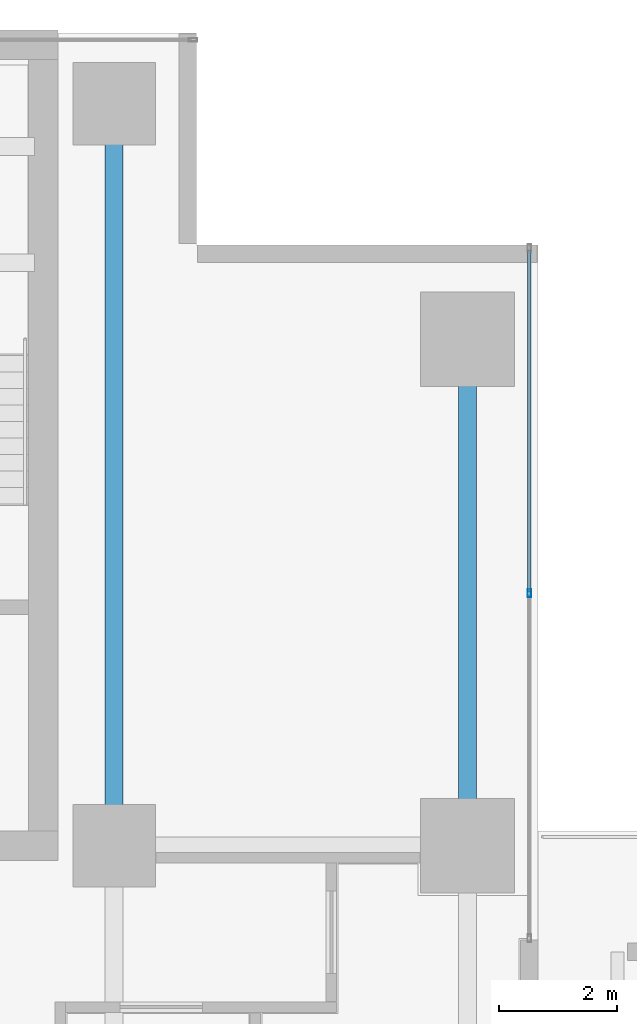
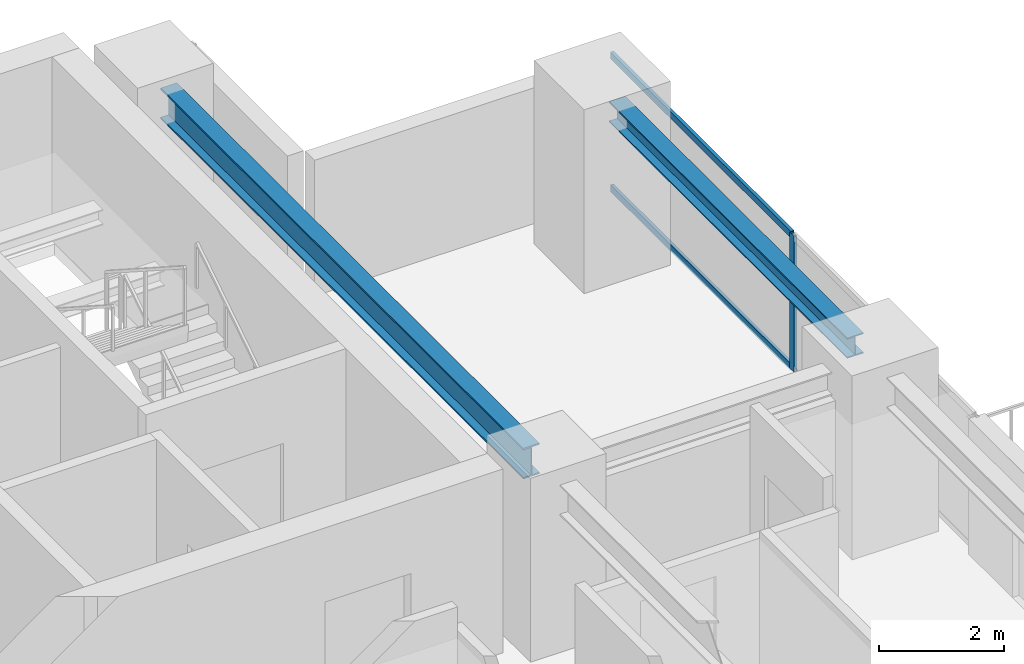
# One storey, part 20 of 32: 3 members, 2 beams, 1 element without a shape of its own.
"""IFC4 building model written with IfcOpenShell, lengths in metres."""

import ifcopenshell
import ifcopenshell.guid

model = None  # the IFC model being written
_history = None  # IfcOwnerHistory: only IFC2X3 demands one
_inside = {}  # id of a spatial element -> (the spatial element, [elements in it])
_under = {}  # id of a project, library or spatial element -> (it, [spatial elements below it])
_declared = {}  # id of a project -> (the project, [libraries it declares])
_typed = {}  # id of a type object -> (the type object, [elements of that type])
_made_of = {}  # id of a material, layer set ... -> (it, [elements and type objects made of it])


def new_model(schema):
    """Start an empty IFC model of exactly this schema.

    Asked for "IFC4X3", IfcOpenShell would pick the latest addendum, in which some entities
    have other attributes; the version numbers below select the first issue.
    IFC2X3 requires an IfcOwnerHistory on every rooted entity: one is made here for all.
    """
    global model, _history
    if schema == "IFC4X3":
        model = ifcopenshell.file(schema_version=(4, 3, 0, 0))
    else:
        model = ifcopenshell.file(schema=schema)
    _inside.clear()
    _under.clear()
    _declared.clear()
    _typed.clear()
    _made_of.clear()
    _history = None
    if model.schema == "IFC2X3":
        org = make("IfcOrganization", Name="unknown")
        user = make(
            "IfcPersonAndOrganization",
            ThePerson=make("IfcPerson", FamilyName="unknown"),
            TheOrganization=org,
        )
        app = make(
            "IfcApplication",
            ApplicationDeveloper=org,
            Version="unknown",
            ApplicationFullName="unknown",
            ApplicationIdentifier="unknown",
        )
        _history = make(
            "IfcOwnerHistory",
            OwningUser=user,
            OwningApplication=app,
            ChangeAction="ADDED",
            CreationDate=0,
        )
    return model


def make(cls, **values):
    """One entity of the class cls with the attributes given. An attribute that is None is left unset."""
    return model.create_entity(
        cls, **{name: value for name, value in values.items() if value is not None}
    )


def rooted(cls, **values):
    """An entity with a GlobalId (a new one), such as an element, a storey or a relation."""
    return make(cls, GlobalId=ifcopenshell.guid.new(), OwnerHistory=_history, **values)


def si_unit(unit_type, name, prefix=None):
    """IfcSIUnit, for example si_unit("LENGTHUNIT", "METRE", prefix="MILLI")."""
    return make("IfcSIUnit", UnitType=unit_type, Prefix=prefix, Name=name)


def assignment(units):
    """IfcUnitAssignment: the units of a project."""
    return None if units is None else make("IfcUnitAssignment", Units=units)


def point(xyz):
    """IfcCartesianPoint."""
    return None if xyz is None else make("IfcCartesianPoint", Coordinates=xyz)


def direction(xyz):
    """IfcDirection."""
    return None if xyz is None else make("IfcDirection", DirectionRatios=xyz)


def frame(location, z_axis=None, x_axis=None):
    """IfcAxis2Placement3D, a coordinate frame: its origin and axes. An axis left out is left unset."""
    return make(
        "IfcAxis2Placement3D",
        Location=point(location),
        Axis=direction(z_axis),
        RefDirection=direction(x_axis),
    )


def frame_2d(location, x_axis=None):
    """IfcAxis2Placement2D, a coordinate frame in the plane: its origin and x axis."""
    return make(
        "IfcAxis2Placement2D", Location=point(location), RefDirection=direction(x_axis)
    )


def origin():
    """The frame at (0, 0, 0) with its axes left unset."""
    return frame((0.0, 0.0, 0.0))


def origin_2d():
    """The frame at (0, 0) in the plane with its x axis left unset."""
    return frame_2d((0.0, 0.0))


def place(relative_to, where):
    """IfcLocalPlacement: puts the frame where relative to a parent placement (None: the world)."""
    return make(
        "IfcLocalPlacement", PlacementRelTo=relative_to, RelativePlacement=where
    )


def context(
    kind, dimensions, precision=None, world=None, true_north=None, identifier=None
):
    """IfcGeometricRepresentationContext, for example the 3D "Model" context."""
    return make(
        "IfcGeometricRepresentationContext",
        ContextIdentifier=identifier,
        ContextType=kind,
        CoordinateSpaceDimension=dimensions,
        Precision=precision,
        WorldCoordinateSystem=world,
        TrueNorth=true_north,
    )


def subcontext(parent, identifier, kind, view, scale=None):
    """IfcGeometricRepresentationSubContext, for example "Body" below "Model"."""
    return make(
        "IfcGeometricRepresentationSubContext",
        ContextIdentifier=identifier,
        ContextType=kind,
        ParentContext=parent,
        TargetScale=scale,
        TargetView=view,
    )


def project(units=None, contexts=None):
    """IfcProject with its units and contexts."""
    return rooted(
        "IfcProject",
        Name="project",
        RepresentationContexts=contexts,
        UnitsInContext=assignment(units),
    )


def spatial(cls, under=None, at=None, **own):
    """A site, building, storey or space (cls), placed at a placement, below another one or the project."""
    s = rooted(cls, ObjectPlacement=at, **own)
    if under is not None:
        _under.setdefault(under.id(), (under, []))[1].append(s)
    return s


def profile(cls, at=None, kind="AREA", **sizes):
    """A parametric profile (cls). Its sizes go by their IFC names, for example OverallWidth=200.0."""
    return make(cls, ProfileType=kind, Position=at, **sizes)


def hollow_rectangle(**sizes):
    """IfcRectangleHollowProfileDef."""
    return profile("IfcRectangleHollowProfileDef", **sizes)


def i_section(**sizes):
    """IfcIShapeProfileDef."""
    return profile("IfcIShapeProfileDef", **sizes)


def extrude(swept, where, along, depth):
    """IfcExtrudedAreaSolid: the profile swept, set in the frame where, extruded along a direction by depth."""
    return make(
        "IfcExtrudedAreaSolid",
        SweptArea=swept,
        Position=where,
        ExtrudedDirection=direction(along),
        Depth=depth,
    )


def shape(context_of_items, identifier, shape_type, items):
    """IfcShapeRepresentation: the items that make up one representation, for example the "Body"."""
    return make(
        "IfcShapeRepresentation",
        ContextOfItems=context_of_items,
        RepresentationIdentifier=identifier,
        RepresentationType=shape_type,
        Items=items,
    )


def source(mapping_origin, context_of_items, identifier, shape_type, items):
    """IfcRepresentationMap: a shape defined once, which mapped items show again and again."""
    return make(
        "IfcRepresentationMap",
        MappingOrigin=mapping_origin,
        MappedRepresentation=shape(context_of_items, identifier, shape_type, items),
    )


def transform(
    local_origin,
    x_axis=None,
    y_axis=None,
    z_axis=None,
    scale=None,
    scale2=None,
    scale3=None,
    uniform=True,
):
    """IfcCartesianTransformationOperator3D, or its non-uniform kind. x_axis, y_axis, z_axis: its Axis1, 2, 3."""
    if uniform:
        return make(
            "IfcCartesianTransformationOperator3D",
            Axis1=direction(x_axis),
            Axis2=direction(y_axis),
            LocalOrigin=point(local_origin),
            Scale=scale,
            Axis3=direction(z_axis),
        )
    return make(
        "IfcCartesianTransformationOperator3DnonUniform",
        Axis1=direction(x_axis),
        Axis2=direction(y_axis),
        LocalOrigin=point(local_origin),
        Scale=scale,
        Axis3=direction(z_axis),
        Scale2=scale2,
        Scale3=scale3,
    )


def mapped(mapping_source, mapping_target):
    """IfcMappedItem: shows the shape of a source again, moved by a transform."""
    return make(
        "IfcMappedItem", MappingSource=mapping_source, MappingTarget=mapping_target
    )


def material(Name=None, Category=None):
    """IfcMaterial."""
    return make("IfcMaterial", Name=Name, Category=Category)


def layer(
    of_material, thickness, ventilated=None, Name=None, Category=None, Priority=None
):
    """IfcMaterialLayer: one layer of a wall or slab, of a material (None: an air gap)."""
    return make(
        "IfcMaterialLayer",
        Material=of_material,
        LayerThickness=thickness,
        IsVentilated=ventilated,
        Name=Name,
        Category=Category,
        Priority=Priority,
    )


def layer_set(layers, Name=None):
    """IfcMaterialLayerSet."""
    return make("IfcMaterialLayerSet", MaterialLayers=layers, LayerSetName=Name)


def material_profile(
    of_material, cross_section, Name=None, Category=None, Priority=None
):
    """IfcMaterialProfile: a cross section and its material."""
    return make(
        "IfcMaterialProfile",
        Name=Name,
        Material=of_material,
        Profile=cross_section,
        Priority=Priority,
        Category=Category,
    )


def profile_set(profiles, Name=None, composite=None):
    """IfcMaterialProfileSet."""
    return make(
        "IfcMaterialProfileSet",
        Name=Name,
        MaterialProfiles=profiles,
        CompositeProfile=composite,
    )


def made_of(thing, what):
    """Note that an element or type object is made of a material, layer set ...; save() writes the relation."""
    if what is not None:
        _made_of.setdefault(what.id(), (what, []))[1].append(thing)
    return thing


def type_object(cls, material=None, **own):
    """A type object (cls), such as IfcWallType, which elements share."""
    return made_of(rooted(cls, **own), material)


def element(
    cls,
    number,
    at=None,
    inside=None,
    cuts=None,
    type_object=None,
    material=None,
    context=None,
    identifier="Body",
    shape_type=None,
    held_by="IfcProductDefinitionShape",
    body=None,
    shapes=None,
    **own,
):
    """One element of the class cls, such as IfcWall. Its Tag is "e" and its number.

    at: its placement. inside: the storey or other place that contains it. cuts: it is an
    opening in that element (IfcRelVoidsElement). A single representation is given by context,
    identifier, shape_type and body (its items); several are given by shapes. held_by: the class
    of the entity that holds the representations. save() writes the other relations.
    """
    e = rooted(cls, Tag="e%d" % number, ObjectPlacement=at, **own)
    if body is not None:
        shapes = [shape(context, identifier, shape_type, body)]
    if shapes is not None:
        e.Representation = make(held_by, Representations=shapes)
    if inside is not None:
        _inside.setdefault(inside.id(), (inside, []))[1].append(e)
    if cuts is not None:
        rooted(
            "IfcRelVoidsElement", RelatingBuildingElement=cuts, RelatedOpeningElement=e
        )
    if type_object is not None:
        _typed.setdefault(type_object.id(), (type_object, []))[1].append(e)
    return made_of(e, material)


def aggregate(whole, parts):
    """IfcRelAggregates: a whole, such as a stair, and the parts it consists of."""
    return rooted("IfcRelAggregates", RelatingObject=whole, RelatedObjects=parts)


def save(model, path):
    """Write the relations noted so far, then the file.

    IfcRelAggregates (storeys below a building ...), IfcRelContainedInSpatialStructure (elements
    in a storey), IfcRelDefinesByType, IfcRelAssociatesMaterial and IfcRelDeclares: one each for
    every whole, place, type object, material and project.
    """
    for whole, parts in _under.values():
        aggregate(whole, parts)
    for where, things in _inside.values():
        rooted(
            "IfcRelContainedInSpatialStructure",
            RelatedElements=things,
            RelatingStructure=where,
        )
    for kind, things in _typed.values():
        rooted("IfcRelDefinesByType", RelatedObjects=things, RelatingType=kind)
    for what, things in _made_of.values():
        rooted("IfcRelAssociatesMaterial", RelatedObjects=things, RelatingMaterial=what)
    for by, libraries in _declared.values():
        rooted("IfcRelDeclares", RelatingContext=by, RelatedDefinitions=libraries)
    model.write(path)


model = new_model("IFC4")

# Units and contexts
model_context = context("Model", 3, precision=1e-05, world=origin(), true_north=direction((0.0, 1.0)))
body_context = subcontext(model_context, "Body", "Model", "MODEL_VIEW")
ifc_project = project(units=[si_unit("LENGTHUNIT", "METRE"), si_unit("AREAUNIT", "SQUARE_METRE"), si_unit("VOLUMEUNIT", "CUBIC_METRE"), si_unit("PLANEANGLEUNIT", "RADIAN"), si_unit("MASSUNIT", "GRAM", prefix="KILO")], contexts=[model_context])

# Site, building, storey
site_placement = place(None, origin())
site = spatial("IfcSite", under=ifc_project, at=site_placement, CompositionType="ELEMENT")
building_placement = place(site_placement, origin())
building = spatial("IfcBuilding", under=site, at=building_placement, Name="Sumidabori Civic Tower", CompositionType="ELEMENT")
storey_placement = place(building_placement, frame((0.0, 0.0, 225.199951171875)))
storey = spatial("IfcBuildingStorey", under=building, at=storey_placement, Name="L58", CompositionType="ELEMENT", Elevation=225.199951171875)

# Beams
ifc_material_1 = material(Name="Steel SN490", Category="steel")
ifc_material_profile_1 = material_profile(ifc_material_1, i_section(OverallWidth=0.300048828125, OverallDepth=0.39990234375, WebThickness=0.013427734375, FlangeThickness=0.02392578125, at=origin_2d()), Name="HE 400 B")
ifc_profile_set_1 = profile_set([ifc_material_profile_1], Name="Steel SN490")
beam_type_1 = type_object("IfcBeamType", Name="BM-GIRD-400", PredefinedType="BEAM", material=ifc_profile_set_1)
shared_shape_1 = source(origin(), body_context, "Body", "SweptSolid", [
    extrude(i_section(OverallWidth=0.300048828125, OverallDepth=0.39990234375, WebThickness=0.013427734375, FlangeThickness=0.02392578125, at=origin_2d()), origin(), (0.0, 0.0, 1.0), 7.64013671875),
])
beam_1_placement = place(storey_placement, frame((22.800048828125, 10.679931640625, 3.14013671875), z_axis=(0.0, 1.0, 0.0), x_axis=(-1.0, 0.0, 0.0)))
element("IfcBeam", 1, at=beam_1_placement, inside=storey, type_object=beam_type_1, Name="Primary Girder L58 GY-24", PredefinedType="BEAM", context=body_context, shape_type="MappedRepresentation", body=[
    mapped(shared_shape_1, transform((0.0, 0.0, 0.0), x_axis=(1.0, 0.0, 0.0), y_axis=(0.0, 1.0, 0.0), z_axis=(0.0, 0.0, 1.0), scale=1.0)),
])
ifc_material_profile_2 = material_profile(ifc_material_1, i_section(OverallWidth=0.300048828125, OverallDepth=0.60009765625, WebThickness=0.015380859375, FlangeThickness=0.030029296875, at=origin_2d()), Name="HE 600 B")
ifc_profile_set_2 = profile_set([ifc_material_profile_2], Name="Steel SN490")
beam_type_2 = type_object("IfcBeamType", Name="BM-GIRD-600", PredefinedType="BEAM", material=ifc_profile_set_2)
shared_shape_2 = source(origin(), body_context, "Body", "SweptSolid", [
    extrude(i_section(OverallWidth=0.300048828125, OverallDepth=0.60009765625, WebThickness=0.015380859375, FlangeThickness=0.030029296875, at=origin_2d()), origin(), (0.0, 0.0, 1.0), 11.64013671875),
])
beam_2_placement = place(storey_placement, frame((16.800048828125, 10.679931640625, 2.97998046875), z_axis=(0.0, 1.0, 0.0), x_axis=(-1.0, 0.0, 0.0)))
element("IfcBeam", 2, at=beam_2_placement, inside=storey, type_object=beam_type_2, Name="Primary Girder L58 GY-21", PredefinedType="BEAM", context=body_context, shape_type="MappedRepresentation", body=[
    mapped(shared_shape_2, transform((0.0, 0.0, 0.0), x_axis=(1.0, 0.0, 0.0), y_axis=(0.0, 1.0, 0.0), z_axis=(0.0, 0.0, 1.0), scale=1.0)),
])

# Curtain wall, members
ifc_material_2 = material(Name="Anodised Bronze Aluminium AW-6063-T6", Category="aluminium")
ifc_layer = layer(ifc_material_2, 0.179931640625, Name="Anodised Bronze Aluminium AW-6063-T6")
ifc_layer_set = layer_set([ifc_layer], Name="Anodised Bronze Aluminium AW-6063-T6")
curtain_wall_type = type_object("IfcCurtainWallType", Name="CW-SYS-5", PredefinedType="NOTDEFINED", material=ifc_layer_set)
curtain_wall_placement = place(storey_placement, origin())
curtain_wall = element("IfcCurtainWall", 3, at=curtain_wall_placement, inside=storey, type_object=curtain_wall_type, Name="Curtain Wall CW:L58:R11", PredefinedType="NOTDEFINED")
ifc_material_profile_3 = material_profile(ifc_material_2, hollow_rectangle(XDim=0.06005859375, YDim=0.139892578125, WallThickness=0.0048828125, at=origin_2d()), Name="ALU MULLION 140x60")
ifc_profile_set_3 = profile_set([ifc_material_profile_3], Name="Anodised Bronze Aluminium AW-6063-T6")
member_type_1 = type_object("IfcMemberType", Name="CW-MUL-140", PredefinedType="MULLION", material=ifc_profile_set_3)
shared_shape_3 = source(origin(), body_context, "Body", "SweptSolid", [
    extrude(hollow_rectangle(XDim=0.06005859375, YDim=0.139892578125, WallThickness=0.0048828125, at=origin_2d()), origin(), (0.0, 0.0, 1.0), 2.66015625),
])
member_1_placement = place(storey_placement, frame((23.85009765625, 14.485107421875, 0.0), z_axis=(0.0, 0.0, 1.0), x_axis=(-1.0, 0.0, 0.0)))
member_1 = element("IfcMember", 4, at=member_1_placement, type_object=member_type_1, Name="CW-5 mullion 2", PredefinedType="MULLION", context=body_context, shape_type="MappedRepresentation", body=[
    mapped(shared_shape_3, transform((0.0, 0.0, 0.0), x_axis=(1.0, 0.0, 0.0), y_axis=(0.0, 1.0, 0.0), z_axis=(0.0, 0.0, 1.0), scale=1.0)),
])
ifc_material_profile_4 = material_profile(ifc_material_2, hollow_rectangle(XDim=0.06005859375, YDim=0.1298828125, WallThickness=0.0048828125, at=origin_2d()), Name="ALU TRANSOM 130x60")
ifc_profile_set_4 = profile_set([ifc_material_profile_4], Name="Anodised Bronze Aluminium AW-6063-T6")
member_type_2 = type_object("IfcMemberType", Name="CW-TRN-130", PredefinedType="USERDEFINED", material=ifc_profile_set_4)
shared_shape_4 = source(origin(), body_context, "Body", "SweptSolid", [
    extrude(hollow_rectangle(XDim=0.06005859375, YDim=0.1298828125, WallThickness=0.0048828125, at=origin_2d()), origin(), (0.0, 0.0, 1.0), 5.795166015625),
])
member_2_placement = place(storey_placement, frame((23.85009765625, 14.514892578125, 0.030029296875), z_axis=(0.0, 1.0, 0.0), x_axis=(-1.0, 0.0, 0.0)))
member_2 = element("IfcMember", 5, at=member_2_placement, type_object=member_type_2, Name="CW-5 transom 2.1", ObjectType="TRANSOM", PredefinedType="USERDEFINED", context=body_context, shape_type="MappedRepresentation", body=[
    mapped(shared_shape_4, transform((0.0, 0.0, 0.0), x_axis=(1.0, 0.0, 0.0), y_axis=(0.0, 1.0, 0.0), z_axis=(0.0, 0.0, 1.0), scale=1.0)),
])
member_3_placement = place(storey_placement, frame((23.85009765625, 14.514892578125, 2.630126953125), z_axis=(0.0, 1.0, 0.0), x_axis=(-1.0, 0.0, 0.0)))
member_3 = element("IfcMember", 6, at=member_3_placement, type_object=member_type_2, Name="CW-5 transom 2.2", ObjectType="TRANSOM", PredefinedType="USERDEFINED", context=body_context, shape_type="MappedRepresentation", body=[
    mapped(shared_shape_4, transform((0.0, 0.0, 0.0), x_axis=(1.0, 0.0, 0.0), y_axis=(0.0, 1.0, 0.0), z_axis=(0.0, 0.0, 1.0), scale=1.0)),
])
aggregate(curtain_wall, [member_1, member_2, member_3])

save(model, "model.ifc")
